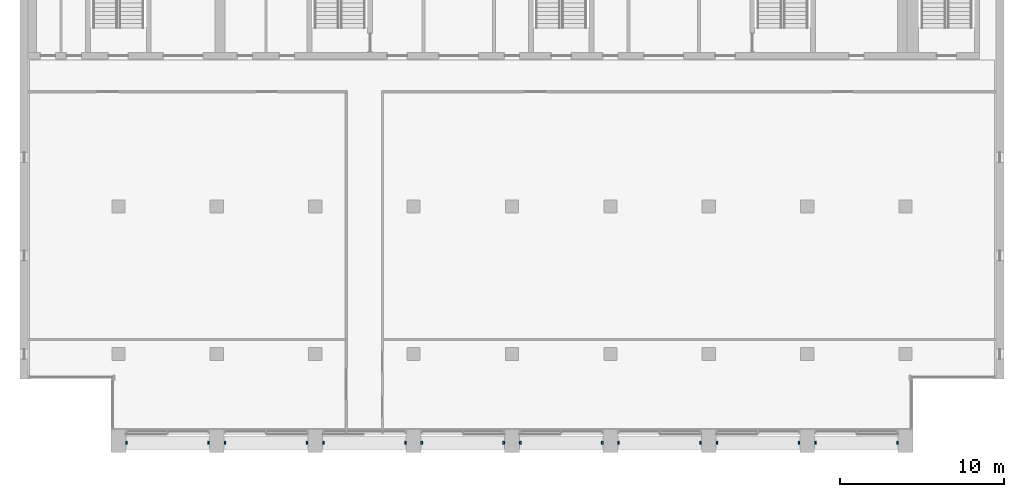
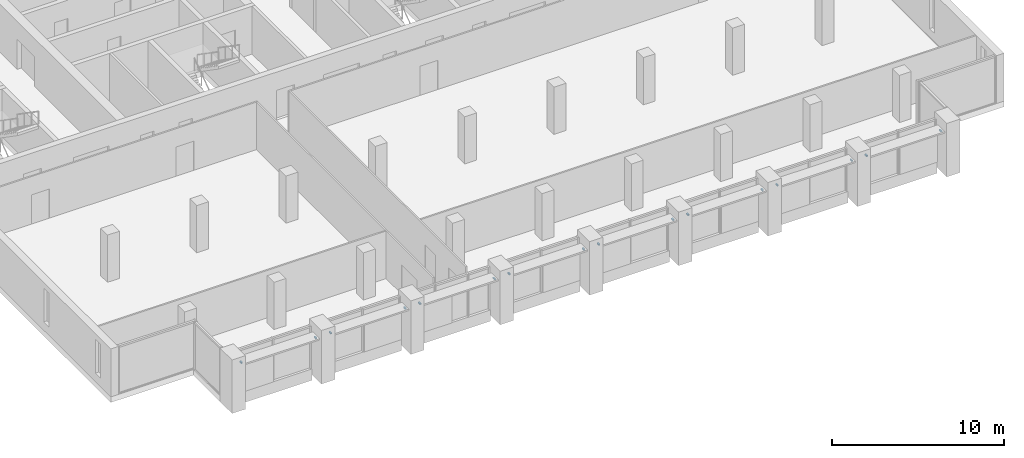
# One storey, part 13 of 14: 16 discrete accessories.
"""IFC4 building model written with IfcOpenShell, lengths in metres."""

from ifc_helpers import new_model, si_unit, direction, frame, origin, origin_2d, place, context, subcontext, project, spatial, rectangle, extrude, element, save


model = new_model("IFC4")

# Units and contexts
model_context = context("Model", 3, precision=1e-05, world=origin(), true_north=direction((0.0, 1.0)))
body_context = subcontext(model_context, "Body", "Model", "MODEL_VIEW")
ifc_project = project(units=[si_unit("LENGTHUNIT", "METRE"), si_unit("AREAUNIT", "SQUARE_METRE"), si_unit("VOLUMEUNIT", "CUBIC_METRE"), si_unit("PLANEANGLEUNIT", "RADIAN"), si_unit("MASSUNIT", "GRAM", prefix="KILO")], contexts=[model_context])

# Site, building, storey
site_placement = place(None, origin())
site = spatial("IfcSite", under=ifc_project, at=site_placement, CompositionType="ELEMENT")
building_placement = place(site_placement, origin())
building = spatial("IfcBuilding", under=site, at=building_placement, Name="Calvaro Tower", CompositionType="ELEMENT")
storey_placement = place(building_placement, frame((0.0, 0.0, 258.35009765625)))
storey = spatial("IfcBuildingStorey", under=building, at=storey_placement, Name="L65", CompositionType="ELEMENT", Elevation=258.35009765625)

# Discrete accessories
for number, where, z_axis, x_axis, name in (
    (1, (12.5, 4.60009765625, 2.499755859375), (0.0, 0.0, 1.0), (1.0, 0.0, 0.0), "Brise-soleil bracket"),
    (2, (17.5, 4.60009765625, 2.499755859375), (0.0, 0.0, 1.0), (1.0, 0.0, 0.0), "Brise-soleil bracket"),
    (3, (18.5, 4.60009765625, 2.499755859375), (0.0, 0.0, 1.0), (1.0, 0.0, 0.0), "Brise-soleil bracket"),
    (4, (23.5, 4.60009765625, 2.499755859375), (0.0, 0.0, 1.0), (1.0, 0.0, 0.0), "Brise-soleil bracket"),
    (5, (24.5, 4.60009765625, 2.499755859375), (0.0, 0.0, 1.0), (1.0, 0.0, 0.0), "Brise-soleil bracket"),
    (6, (29.5, 4.60009765625, 2.499755859375), (0.0, 0.0, 1.0), (1.0, 0.0, 0.0), "Brise-soleil bracket"),
    (7, (30.5, 4.60009765625, 2.499755859375), (0.0, 0.0, 1.0), (1.0, 0.0, 0.0), "Brise-soleil bracket"),
    (8, (35.5, 4.60009765625, 2.499755859375), (0.0, 0.0, 1.0), (1.0, 0.0, 0.0), "Brise-soleil bracket"),
    (9, (36.5, 4.60009765625, 2.499755859375), (0.0, 0.0, 1.0), (1.0, 0.0, 0.0), "Brise-soleil bracket"),
    (10, (41.5, 4.60009765625, 2.499755859375), (0.0, 0.0, 1.0), (1.0, 0.0, 0.0), "Brise-soleil bracket"),
    (11, (42.5, 4.60009765625, 2.499755859375), (0.0, 0.0, 1.0), (1.0, 0.0, 0.0), "Brise-soleil bracket"),
    (12, (47.5, 4.60009765625, 2.499755859375), (0.0, 0.0, 1.0), (1.0, 0.0, 0.0), "Brise-soleil bracket"),
    (13, (48.5, 4.60009765625, 2.499755859375), (0.0, 0.0, 1.0), (1.0, 0.0, 0.0), "Brise-soleil bracket"),
    (14, (53.5, 4.60009765625, 2.499755859375), (0.0, 0.0, 1.0), (1.0, 0.0, 0.0), "Brise-soleil bracket"),
    (15, (54.5, 4.60009765625, 2.499755859375), (0.0, 0.0, 1.0), (1.0, 0.0, 0.0), "Brise-soleil bracket"),
    (16, (59.5, 4.60009765625, 2.499755859375), (0.0, 0.0, 1.0), (1.0, 0.0, 0.0), "Brise-soleil bracket"),
):
    element("IfcDiscreteAccessory", number, at=place(storey_placement, frame(where, z_axis=z_axis, x_axis=x_axis)), inside=storey, Name=name, PredefinedType="BRACKET", context=body_context, shape_type="SweptSolid", body=[
        extrude(rectangle(XDim=0.10009765625, YDim=0.199951171875, at=origin_2d()), origin(), (0.0, 0.0, 1.0), 0.10009765625),
    ])

save(model, "model.ifc")
